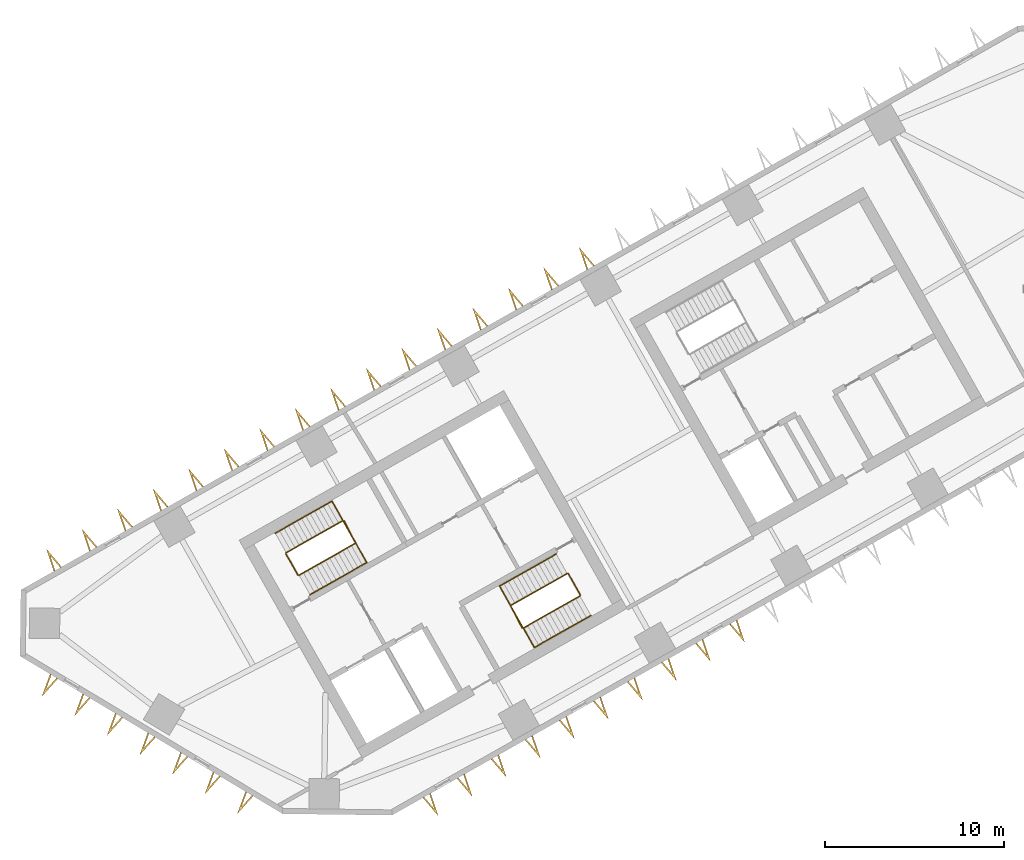
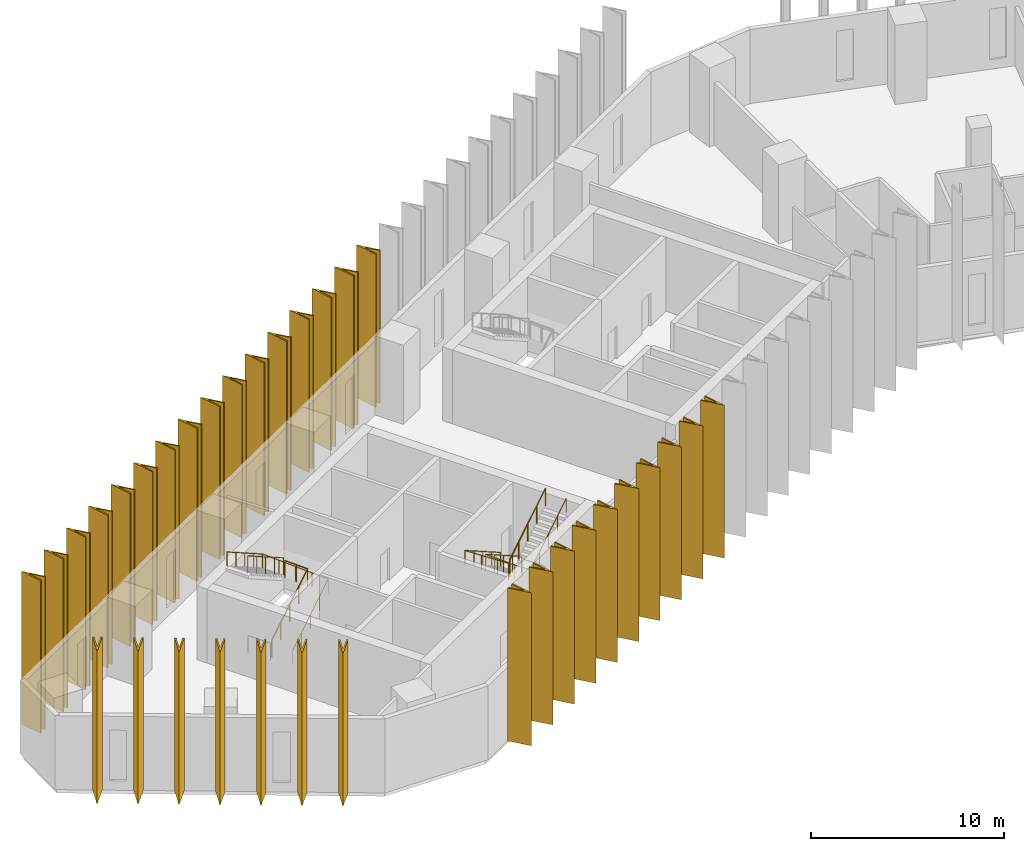
# One storey, part 9 of 11: 33 shading devices, 8 railings.
"""IFC4 building model written with IfcOpenShell, lengths in metres."""

from ifc_helpers import new_model, si_unit, direction, frame, origin, origin_2d, place, context, subcontext, project, spatial, polyline, circle, outline, extrude, material, type_object, element, save


model = new_model("IFC4")

# Units and contexts
model_context = context("Model", 3, precision=1e-05, world=origin(), true_north=direction((0.0, 1.0)))
body_context = subcontext(model_context, "Body", "Model", "MODEL_VIEW")
ifc_project = project(units=[si_unit("LENGTHUNIT", "METRE"), si_unit("AREAUNIT", "SQUARE_METRE"), si_unit("VOLUMEUNIT", "CUBIC_METRE"), si_unit("PLANEANGLEUNIT", "RADIAN"), si_unit("MASSUNIT", "GRAM", prefix="KILO")], contexts=[model_context])

# Site, building, storey
site_placement = place(None, origin())
site = spatial("IfcSite", under=ifc_project, at=site_placement, CompositionType="ELEMENT")
building_placement = place(site_placement, origin())
building = spatial("IfcBuilding", under=site, at=building_placement, Name="Binnacle Exchange Tower", CompositionType="ELEMENT")
storey_placement = place(building_placement, frame((0.0, 0.0, 56.5)))
storey = spatial("IfcBuildingStorey", under=building, at=storey_placement, Name="L11", CompositionType="ELEMENT", Elevation=56.5)

# Railings
ifc_material_1 = material(Name="Steel guard rail", Category="steel")
railing_type_1 = type_object("IfcRailingType", Name="STAIR GUARD 1100", PredefinedType="GUARDRAIL", material=ifc_material_1)
railing_1_placement = place(storey_placement, frame((-43.26171875, 39.71728515625, 0.178466796875)))
element("IfcRailing", 1, at=railing_1_placement, inside=storey, type_object=railing_type_1, Name="L11 STA1 stair guard 1", PredefinedType="GUARDRAIL", context=body_context, shape_type="SweptSolid", body=[
    extrude(circle(Radius=0.02392578125, at=origin_2d()), frame((0.0, 0.0, 1.076171875), z_axis=(0.733795554141, 0.415191658331, 0.537735968274), x_axis=(-0.492450612189, 0.870340390052, 0.0)), (0.0, 0.0, 1.0), 4.317138671875),
    extrude(circle(Radius=0.02392578125, at=origin_2d()), frame((3.16796875, 1.79248046875, 3.3974609375), z_axis=(-0.460963092712, 0.887419307406, 0.0), x_axis=(-0.887419307406, -0.460963092712, 0.0)), (0.0, 0.0, 1.0), 1.40087890625),
    extrude(circle(Radius=0.02099609375, at=origin_2d()), origin(), (0.0, 0.0, 1.0), 1.052001953125),
    extrude(circle(Radius=0.02099609375, at=origin_2d()), frame((0.7919921875, 0.4482421875, 0.580322265625)), (0.0, 0.0, 1.0), 1.052001953125),
    extrude(circle(Radius=0.02099609375, at=origin_2d()), frame((1.583984375, 0.896240234375, 1.16064453125)), (0.0, 0.0, 1.0), 1.052001953125),
    extrude(circle(Radius=0.02099609375, at=origin_2d()), frame((2.3759765625, 1.34423828125, 1.7412109375)), (0.0, 0.0, 1.0), 1.052001953125),
    extrude(circle(Radius=0.02099609375, at=origin_2d()), frame((3.16796875, 1.79248046875, 2.321533203125)), (0.0, 0.0, 1.0), 1.052001953125),
    extrude(circle(Radius=0.02099609375, at=origin_2d()), frame((2.84521484375, 2.4140625, 2.321533203125)), (0.0, 0.0, 1.0), 1.052001953125),
    extrude(circle(Radius=0.02099609375, at=origin_2d()), frame((2.522216796875, 3.03564453125, 2.321533203125)), (0.0, 0.0, 1.0), 1.052001953125),
])
railing_2_placement = place(storey_placement, frame((-40.8076171875, 42.771728515625, 2.678466796875)))
element("IfcRailing", 2, at=railing_2_placement, inside=storey, type_object=railing_type_1, Name="L11 STA1 stair guard 2", PredefinedType="GUARDRAIL", context=body_context, shape_type="SweptSolid", body=[
    extrude(circle(Radius=0.02392578125, at=origin_2d()), frame((0.0, 0.0, 1.076171875), z_axis=(-0.733821652932, -0.415174429824, 0.537713654753), x_axis=(0.492421866095, -0.870356654361, 0.0)), (0.0, 0.0, 1.0), 4.3173828125),
    extrude(circle(Radius=0.02099609375, at=origin_2d()), origin(), (0.0, 0.0, 1.0), 1.052001953125),
    extrude(circle(Radius=0.02099609375, at=origin_2d()), frame((-0.7919921875, -0.4482421875, 0.580322265625)), (0.0, 0.0, 1.0), 1.052001953125),
    extrude(circle(Radius=0.02099609375, at=origin_2d()), frame((-1.583984375, -0.896240234375, 1.16064453125)), (0.0, 0.0, 1.0), 1.052001953125),
    extrude(circle(Radius=0.02099609375, at=origin_2d()), frame((-2.376220703125, -1.34423828125, 1.7412109375)), (0.0, 0.0, 1.0), 1.052001953125),
    extrude(circle(Radius=0.02099609375, at=origin_2d()), frame((-3.168212890625, -1.79248046875, 2.321533203125)), (0.0, 0.0, 1.0), 1.052001953125),
])
railing_3_placement = place(storey_placement, frame((-43.329833984375, 39.736328125, 0.0)))
element("IfcRailing", 3, at=railing_3_placement, inside=storey, type_object=railing_type_1, Name="L11 STA1 stair guard 3", PredefinedType="GUARDRAIL", context=body_context, shape_type="SweptSolid", body=[
    extrude(circle(Radius=0.02392578125, at=origin_2d()), frame((0.0, 0.0, 1.076171875), z_axis=(-0.4924922531, 0.870316827734, 0.0), x_axis=(-0.870316827734, -0.4924922531, 0.0)), (0.0, 0.0, 1.0), 1.349853515625),
    extrude(circle(Radius=0.02099609375, at=origin_2d()), origin(), (0.0, 0.0, 1.0), 1.052001953125),
    extrude(circle(Radius=0.02099609375, at=origin_2d()), frame((-0.33251953125, 0.58740234375, 0.0)), (0.0, 0.0, 1.0), 1.052001953125),
    extrude(circle(Radius=0.02099609375, at=origin_2d()), frame((-0.664794921875, 1.1748046875, 0.0)), (0.0, 0.0, 1.0), 1.052001953125),
])
railing_4_placement = place(storey_placement, frame((-28.265380859375, 39.814453125, 0.178466796875)))
element("IfcRailing", 4, at=railing_4_placement, inside=storey, type_object=railing_type_1, Name="L11 STA2 stair guard 1", PredefinedType="GUARDRAIL", context=body_context, shape_type="SweptSolid", body=[
    extrude(circle(Radius=0.02392578125, at=origin_2d()), frame((0.0, 0.0, 1.076171875), z_axis=(-0.733821652932, -0.415174429824, 0.537713654753), x_axis=(0.492421866095, -0.870356654361, 0.0)), (0.0, 0.0, 1.0), 4.3173828125),
    extrude(circle(Radius=0.02392578125, at=origin_2d()), frame((-3.168212890625, -1.79248046875, 3.3974609375), z_axis=(0.461100321709, -0.887348011391, 0.0), x_axis=(0.887348011391, 0.461100321709, 0.0)), (0.0, 0.0, 1.0), 1.40087890625),
    extrude(circle(Radius=0.02099609375, at=origin_2d()), origin(), (0.0, 0.0, 1.0), 1.052001953125),
    extrude(circle(Radius=0.02099609375, at=origin_2d()), frame((-0.7919921875, -0.4482421875, 0.580322265625)), (0.0, 0.0, 1.0), 1.052001953125),
    extrude(circle(Radius=0.02099609375, at=origin_2d()), frame((-1.583984375, -0.896240234375, 1.16064453125)), (0.0, 0.0, 1.0), 1.052001953125),
    extrude(circle(Radius=0.02099609375, at=origin_2d()), frame((-2.376220703125, -1.34423828125, 1.7412109375)), (0.0, 0.0, 1.0), 1.052001953125),
    extrude(circle(Radius=0.02099609375, at=origin_2d()), frame((-3.168212890625, -1.79248046875, 2.321533203125)), (0.0, 0.0, 1.0), 1.052001953125),
    extrude(circle(Radius=0.02099609375, at=origin_2d()), frame((-2.84521484375, -2.4140625, 2.321533203125)), (0.0, 0.0, 1.0), 1.052001953125),
    extrude(circle(Radius=0.02099609375, at=origin_2d()), frame((-2.522216796875, -3.03564453125, 2.321533203125)), (0.0, 0.0, 1.0), 1.052001953125),
])
railing_5_placement = place(storey_placement, frame((-30.719482421875, 36.760009765625, 2.678466796875)))
element("IfcRailing", 5, at=railing_5_placement, inside=storey, type_object=railing_type_1, Name="L11 STA2 stair guard 2", PredefinedType="GUARDRAIL", context=body_context, shape_type="SweptSolid", body=[
    extrude(circle(Radius=0.02392578125, at=origin_2d()), frame((0.0, 0.0, 1.076171875), z_axis=(0.733795554141, 0.415191658331, 0.537735968274), x_axis=(-0.492450612189, 0.870340390052, 0.0)), (0.0, 0.0, 1.0), 4.317138671875),
    extrude(circle(Radius=0.02099609375, at=origin_2d()), origin(), (0.0, 0.0, 1.0), 1.052001953125),
    extrude(circle(Radius=0.02099609375, at=origin_2d()), frame((0.7919921875, 0.4482421875, 0.580322265625)), (0.0, 0.0, 1.0), 1.052001953125),
    extrude(circle(Radius=0.02099609375, at=origin_2d()), frame((1.583984375, 0.896240234375, 1.16064453125)), (0.0, 0.0, 1.0), 1.052001953125),
    extrude(circle(Radius=0.02099609375, at=origin_2d()), frame((2.3759765625, 1.34423828125, 1.7412109375)), (0.0, 0.0, 1.0), 1.052001953125),
    extrude(circle(Radius=0.02099609375, at=origin_2d()), frame((3.16796875, 1.79248046875, 2.321533203125)), (0.0, 0.0, 1.0), 1.052001953125),
])
railing_6_placement = place(storey_placement, frame((-28.197265625, 39.795654296875, 0.0)))
element("IfcRailing", 6, at=railing_6_placement, inside=storey, type_object=railing_type_1, Name="L11 STA2 stair guard 3", PredefinedType="GUARDRAIL", context=body_context, shape_type="SweptSolid", body=[
    extrude(circle(Radius=0.02392578125, at=origin_2d()), frame((0.0, 0.0, 1.076171875), z_axis=(0.49241474071, -0.870360685654, 0.0), x_axis=(0.870360685654, 0.49241474071, 0.0)), (0.0, 0.0, 1.0), 1.35009765625),
    extrude(circle(Radius=0.02099609375, at=origin_2d()), origin(), (0.0, 0.0, 1.0), 1.052001953125),
    extrude(circle(Radius=0.02099609375, at=origin_2d()), frame((0.33251953125, -0.58740234375, 0.0)), (0.0, 0.0, 1.0), 1.052001953125),
    extrude(circle(Radius=0.02099609375, at=origin_2d()), frame((0.664794921875, -1.175048828125, 0.0)), (0.0, 0.0, 1.0), 1.052001953125),
])
ifc_material_2 = material(Name="Steel handrail", Category="steel")
railing_type_2 = type_object("IfcRailingType", Name="STAIR HANDRAIL 900", PredefinedType="HANDRAIL", material=ifc_material_2)
railing_7_placement = place(storey_placement, frame((-42.646240234375, 38.62939453125, 0.178466796875)))
element("IfcRailing", 7, at=railing_7_placement, inside=storey, type_object=railing_type_2, Name="L11 STA1 stair handrail 1", PredefinedType="HANDRAIL", context=body_context, shape_type="SweptSolid", body=[
    extrude(circle(Radius=0.02392578125, at=origin_2d()), frame((0.0, 0.0, 0.8759765625), z_axis=(0.733821652932, 0.415174429824, 0.537713654753), x_axis=(-0.492421866095, 0.870356654361, 0.0)), (0.0, 0.0, 1.0), 4.3173828125),
    extrude(circle(Radius=0.02392578125, at=origin_2d()), frame((3.168212890625, 1.79248046875, 3.197265625), z_axis=(-0.491985021148, 0.869432866815, 0.045135674003), x_axis=(-0.870319839224, -0.492486931251, 0.0)), (0.0, 0.0, 1.0), 3.9541015625),
    extrude(circle(Radius=0.02392578125, at=origin_2d()), frame((1.222900390625, 5.230224609375, 3.3759765625), z_axis=(-0.733812782489, -0.415144854829, 0.537748593457), x_axis=(0.492399802317, -0.870369137021, 0.0)), (0.0, 0.0, 1.0), 4.317138671875),
    extrude(circle(Radius=0.02099609375, at=origin_2d()), origin(), (0.0, 0.0, 1.0), 0.851806640625),
    extrude(circle(Radius=0.02099609375, at=origin_2d()), frame((0.7919921875, 0.4482421875, 0.580322265625)), (0.0, 0.0, 1.0), 0.851806640625),
    extrude(circle(Radius=0.02099609375, at=origin_2d()), frame((1.583984375, 0.896240234375, 1.16064453125)), (0.0, 0.0, 1.0), 0.851806640625),
    extrude(circle(Radius=0.02099609375, at=origin_2d()), frame((2.376220703125, 1.34423828125, 1.7412109375)), (0.0, 0.0, 1.0), 0.851806640625),
    extrude(circle(Radius=0.02099609375, at=origin_2d()), frame((3.168212890625, 1.79248046875, 2.321533203125)), (0.0, 0.0, 1.0), 0.851806640625),
    extrude(circle(Radius=0.02099609375, at=origin_2d()), frame((2.681884765625, 2.65185546875, 2.3662109375)), (0.0, 0.0, 1.0), 0.851806640625),
    extrude(circle(Radius=0.02099609375, at=origin_2d()), frame((2.195556640625, 3.51123046875, 2.41064453125)), (0.0, 0.0, 1.0), 0.851806640625),
    extrude(circle(Radius=0.02099609375, at=origin_2d()), frame((1.709228515625, 4.370849609375, 2.455322265625)), (0.0, 0.0, 1.0), 0.851806640625),
    extrude(circle(Radius=0.02099609375, at=origin_2d()), frame((1.222900390625, 5.230224609375, 2.5)), (0.0, 0.0, 1.0), 0.851806640625),
    extrude(circle(Radius=0.02099609375, at=origin_2d()), frame((0.430908203125, 4.7822265625, 3.080322265625)), (0.0, 0.0, 1.0), 0.851806640625),
    extrude(circle(Radius=0.02099609375, at=origin_2d()), frame((-0.361083984375, 4.333984375, 3.66064453125)), (0.0, 0.0, 1.0), 0.851806640625),
    extrude(circle(Radius=0.02099609375, at=origin_2d()), frame((-1.153076171875, 3.885986328125, 4.2412109375)), (0.0, 0.0, 1.0), 0.851806640625),
    extrude(circle(Radius=0.02099609375, at=origin_2d()), frame((-1.945068359375, 3.43798828125, 4.821533203125)), (0.0, 0.0, 1.0), 0.851806640625),
])
railing_8_placement = place(storey_placement, frame((-28.880859375, 40.90234375, 0.178466796875)))
element("IfcRailing", 8, at=railing_8_placement, inside=storey, type_object=railing_type_2, Name="L11 STA2 stair handrail 1", PredefinedType="HANDRAIL", context=body_context, shape_type="SweptSolid", body=[
    extrude(circle(Radius=0.02392578125, at=origin_2d()), frame((0.0, 0.0, 0.8759765625), z_axis=(-0.733838880464, -0.415127627455, 0.537726278364), x_axis=(0.492371057291, -0.870385398511, 0.0)), (0.0, 0.0, 1.0), 4.3173828125),
    extrude(circle(Radius=0.02392578125, at=origin_2d()), frame((-3.168212890625, -1.792236328125, 3.197265625), z_axis=(0.491911810019, -0.86947434526, 0.045134621956), x_axis=(0.870361318571, 0.492413622004, 0.0)), (0.0, 0.0, 1.0), 3.9541015625),
    extrude(circle(Radius=0.02392578125, at=origin_2d()), frame((-1.22314453125, -5.230224609375, 3.3759765625), z_axis=(0.733821652932, 0.415174429824, 0.537713654753), x_axis=(-0.492421866095, 0.870356654361, 0.0)), (0.0, 0.0, 1.0), 4.3173828125),
    extrude(circle(Radius=0.02099609375, at=origin_2d()), origin(), (0.0, 0.0, 1.0), 0.851806640625),
    extrude(circle(Radius=0.02099609375, at=origin_2d()), frame((-0.7919921875, -0.447998046875, 0.580322265625)), (0.0, 0.0, 1.0), 0.851806640625),
    extrude(circle(Radius=0.02099609375, at=origin_2d()), frame((-1.583984375, -0.89599609375, 1.16064453125)), (0.0, 0.0, 1.0), 0.851806640625),
    extrude(circle(Radius=0.02099609375, at=origin_2d()), frame((-2.376220703125, -1.34423828125, 1.7412109375)), (0.0, 0.0, 1.0), 0.851806640625),
    extrude(circle(Radius=0.02099609375, at=origin_2d()), frame((-3.168212890625, -1.792236328125, 2.321533203125)), (0.0, 0.0, 1.0), 0.851806640625),
    extrude(circle(Radius=0.02099609375, at=origin_2d()), frame((-2.681884765625, -2.65185546875, 2.3662109375)), (0.0, 0.0, 1.0), 0.851806640625),
    extrude(circle(Radius=0.02099609375, at=origin_2d()), frame((-2.19580078125, -3.51123046875, 2.41064453125)), (0.0, 0.0, 1.0), 0.851806640625),
    extrude(circle(Radius=0.02099609375, at=origin_2d()), frame((-1.70947265625, -4.37060546875, 2.455322265625)), (0.0, 0.0, 1.0), 0.851806640625),
    extrude(circle(Radius=0.02099609375, at=origin_2d()), frame((-1.22314453125, -5.230224609375, 2.5)), (0.0, 0.0, 1.0), 0.851806640625),
    extrude(circle(Radius=0.02099609375, at=origin_2d()), frame((-0.43115234375, -4.7822265625, 3.080322265625)), (0.0, 0.0, 1.0), 0.851806640625),
    extrude(circle(Radius=0.02099609375, at=origin_2d()), frame((0.36083984375, -4.333984375, 3.66064453125)), (0.0, 0.0, 1.0), 0.851806640625),
    extrude(circle(Radius=0.02099609375, at=origin_2d()), frame((1.153076171875, -3.8857421875, 4.2412109375)), (0.0, 0.0, 1.0), 0.851806640625),
    extrude(circle(Radius=0.02099609375, at=origin_2d()), frame((1.945068359375, -3.437744140625, 4.821533203125)), (0.0, 0.0, 1.0), 0.851806640625),
])

# Shading devices
ifc_material_3 = material(Name="Bronze aluminium cladding", Category="aluminium")
shading_device_type = type_object("IfcShadingDeviceType", Name="V FIN 1300 DEEP x 9680 HIGH", PredefinedType="USERDEFINED", material=ifc_material_3)
shading_device_1_placement = place(storey_placement, origin())
element("IfcShadingDevice", 9, at=shading_device_1_placement, inside=storey, type_object=shading_device_type, Name="V fin FN-F03-12 L11", ObjectType="FIN", PredefinedType="USERDEFINED", context=body_context, shape_type="SweptSolid", body=[
    extrude(outline(polyline([(-26.7412109375, 57.04296875), (-27.59912109375, 58.05126953125), (-27.176513671875, 56.796630859375), (-27.10546875, 56.8369140625), (-27.390380859375, 57.6826171875), (-26.81201171875, 57.002685546875), (-26.7412109375, 57.04296875)])), origin(), (0.0, 0.0, 1.0), 9.679931640625),
])
shading_device_2_placement = place(storey_placement, origin())
element("IfcShadingDevice", 10, at=shading_device_2_placement, inside=storey, type_object=shading_device_type, Name="V fin FN-F03-13 L11", ObjectType="FIN", PredefinedType="USERDEFINED", context=body_context, shape_type="SweptSolid", body=[
    extrude(outline(polyline([(-28.727783203125, 55.9189453125), (-29.58544921875, 56.92724609375), (-29.162841796875, 55.672607421875), (-29.092041015625, 55.712890625), (-29.376708984375, 56.55859375), (-28.798583984375, 55.87890625), (-28.727783203125, 55.9189453125)])), origin(), (0.0, 0.0, 1.0), 9.679931640625),
])
shading_device_3_placement = place(storey_placement, origin())
element("IfcShadingDevice", 11, at=shading_device_3_placement, inside=storey, type_object=shading_device_type, Name="V fin FN-F03-14 L11", ObjectType="FIN", PredefinedType="USERDEFINED", context=body_context, shape_type="SweptSolid", body=[
    extrude(outline(polyline([(-30.71435546875, 54.794921875), (-31.572021484375, 55.803466796875), (-31.1494140625, 54.548828125), (-31.07861328125, 54.5888671875), (-31.36328125, 55.434814453125), (-30.78515625, 54.7548828125), (-30.71435546875, 54.794921875)])), origin(), (0.0, 0.0, 1.0), 9.679931640625),
])
shading_device_4_placement = place(storey_placement, origin())
element("IfcShadingDevice", 12, at=shading_device_4_placement, inside=storey, type_object=shading_device_type, Name="V fin FN-F03-15 L11", ObjectType="FIN", PredefinedType="USERDEFINED", context=body_context, shape_type="SweptSolid", body=[
    extrude(outline(polyline([(-32.70068359375, 53.6708984375), (-33.55859375, 54.679443359375), (-33.135986328125, 53.4248046875), (-33.065185546875, 53.46484375), (-33.349853515625, 54.310791015625), (-32.771728515625, 53.630859375), (-32.70068359375, 53.6708984375)])), origin(), (0.0, 0.0, 1.0), 9.679931640625),
])
shading_device_5_placement = place(storey_placement, origin())
element("IfcShadingDevice", 13, at=shading_device_5_placement, inside=storey, type_object=shading_device_type, Name="V fin FN-F03-16 L11", ObjectType="FIN", PredefinedType="USERDEFINED", context=body_context, shape_type="SweptSolid", body=[
    extrude(outline(polyline([(-34.687255859375, 52.547119140625), (-35.545166015625, 53.555419921875), (-35.12255859375, 52.30078125), (-35.051513671875, 52.341064453125), (-35.33642578125, 53.186767578125), (-34.75830078125, 52.507080078125), (-34.687255859375, 52.547119140625)])), origin(), (0.0, 0.0, 1.0), 9.679931640625),
])
shading_device_6_placement = place(storey_placement, origin())
element("IfcShadingDevice", 14, at=shading_device_6_placement, inside=storey, type_object=shading_device_type, Name="V fin FN-F03-17 L11", ObjectType="FIN", PredefinedType="USERDEFINED", context=body_context, shape_type="SweptSolid", body=[
    extrude(outline(polyline([(-36.673828125, 51.423095703125), (-37.53173828125, 52.431640625), (-37.109130859375, 51.177001953125), (-37.0380859375, 51.217041015625), (-37.322998046875, 52.06298828125), (-36.744873046875, 51.383056640625), (-36.673828125, 51.423095703125)])), origin(), (0.0, 0.0, 1.0), 9.679931640625),
])
shading_device_7_placement = place(storey_placement, origin())
element("IfcShadingDevice", 15, at=shading_device_7_placement, inside=storey, type_object=shading_device_type, Name="V fin FN-F03-18 L11", ObjectType="FIN", PredefinedType="USERDEFINED", context=body_context, shape_type="SweptSolid", body=[
    extrude(outline(polyline([(-38.660400390625, 50.29931640625), (-39.518310546875, 51.3076171875), (-39.095703125, 50.052978515625), (-39.02490234375, 50.093017578125), (-39.3095703125, 50.93896484375), (-38.7314453125, 50.259033203125), (-38.660400390625, 50.29931640625)])), origin(), (0.0, 0.0, 1.0), 9.679931640625),
])
shading_device_8_placement = place(storey_placement, origin())
element("IfcShadingDevice", 16, at=shading_device_8_placement, inside=storey, type_object=shading_device_type, Name="V fin FN-F03-19 L11", ObjectType="FIN", PredefinedType="USERDEFINED", context=body_context, shape_type="SweptSolid", body=[
    extrude(outline(polyline([(-40.64697265625, 49.17529296875), (-41.5048828125, 50.18359375), (-41.082275390625, 48.92919921875), (-41.01123046875, 48.96923828125), (-41.296142578125, 49.81494140625), (-40.718017578125, 49.13525390625), (-40.64697265625, 49.17529296875)])), origin(), (0.0, 0.0, 1.0), 9.679931640625),
])
shading_device_9_placement = place(storey_placement, origin())
element("IfcShadingDevice", 17, at=shading_device_9_placement, inside=storey, type_object=shading_device_type, Name="V fin FN-F03-20 L11", ObjectType="FIN", PredefinedType="USERDEFINED", context=body_context, shape_type="SweptSolid", body=[
    extrude(outline(polyline([(-42.633544921875, 48.05126953125), (-43.491455078125, 49.059814453125), (-43.06884765625, 47.80517578125), (-42.997802734375, 47.84521484375), (-43.28271484375, 48.69091796875), (-42.70458984375, 48.01123046875), (-42.633544921875, 48.05126953125)])), origin(), (0.0, 0.0, 1.0), 9.679931640625),
])
shading_device_10_placement = place(storey_placement, origin())
element("IfcShadingDevice", 18, at=shading_device_10_placement, inside=storey, type_object=shading_device_type, Name="V fin FN-F03-21 L11", ObjectType="FIN", PredefinedType="USERDEFINED", context=body_context, shape_type="SweptSolid", body=[
    extrude(outline(polyline([(-44.6201171875, 46.927490234375), (-45.47802734375, 47.935791015625), (-45.055419921875, 46.68115234375), (-44.984619140625, 46.72119140625), (-45.269287109375, 47.567138671875), (-44.691162109375, 46.88720703125), (-44.6201171875, 46.927490234375)])), origin(), (0.0, 0.0, 1.0), 9.679931640625),
])
shading_device_11_placement = place(storey_placement, origin())
element("IfcShadingDevice", 19, at=shading_device_11_placement, inside=storey, type_object=shading_device_type, Name="V fin FN-F03-22 L11", ObjectType="FIN", PredefinedType="USERDEFINED", context=body_context, shape_type="SweptSolid", body=[
    extrude(outline(polyline([(-46.606689453125, 45.803466796875), (-47.464599609375, 46.81201171875), (-47.0419921875, 45.557373046875), (-46.970947265625, 45.597412109375), (-47.255859375, 46.443115234375), (-46.677490234375, 45.763427734375), (-46.606689453125, 45.803466796875)])), origin(), (0.0, 0.0, 1.0), 9.679931640625),
])
shading_device_12_placement = place(storey_placement, origin())
element("IfcShadingDevice", 20, at=shading_device_12_placement, inside=storey, type_object=shading_device_type, Name="V fin FN-F03-23 L11", ObjectType="FIN", PredefinedType="USERDEFINED", context=body_context, shape_type="SweptSolid", body=[
    extrude(outline(polyline([(-48.59326171875, 44.679443359375), (-49.451171875, 45.68798828125), (-49.028564453125, 44.433349609375), (-48.95751953125, 44.473388671875), (-49.242431640625, 45.319091796875), (-48.664306640625, 44.639404296875), (-48.59326171875, 44.679443359375)])), origin(), (0.0, 0.0, 1.0), 9.679931640625),
])
shading_device_13_placement = place(storey_placement, origin())
element("IfcShadingDevice", 21, at=shading_device_13_placement, inside=storey, type_object=shading_device_type, Name="V fin FN-F03-24 L11", ObjectType="FIN", PredefinedType="USERDEFINED", context=body_context, shape_type="SweptSolid", body=[
    extrude(outline(polyline([(-50.579833984375, 43.5556640625), (-51.4375, 44.56396484375), (-51.014892578125, 43.309326171875), (-50.944091796875, 43.349609375), (-51.22900390625, 44.1953125), (-50.650634765625, 43.515380859375), (-50.579833984375, 43.5556640625)])), origin(), (0.0, 0.0, 1.0), 9.679931640625),
])
shading_device_14_placement = place(storey_placement, origin())
element("IfcShadingDevice", 22, at=shading_device_14_placement, inside=storey, type_object=shading_device_type, Name="V fin FN-F03-25 L11", ObjectType="FIN", PredefinedType="USERDEFINED", context=body_context, shape_type="SweptSolid", body=[
    extrude(outline(polyline([(-52.56640625, 42.431640625), (-53.42431640625, 43.440185546875), (-53.001708984375, 42.185546875), (-52.9306640625, 42.2255859375), (-53.215576171875, 43.0712890625), (-52.63720703125, 42.3916015625), (-52.56640625, 42.431640625)])), origin(), (0.0, 0.0, 1.0), 9.679931640625),
])
shading_device_15_placement = place(storey_placement, origin())
element("IfcShadingDevice", 23, at=shading_device_15_placement, inside=storey, type_object=shading_device_type, Name="V fin FN-F03-26 L11", ObjectType="FIN", PredefinedType="USERDEFINED", context=body_context, shape_type="SweptSolid", body=[
    extrude(outline(polyline([(-54.552978515625, 41.3076171875), (-55.410888671875, 42.316162109375), (-54.98828125, 41.0615234375), (-54.917236328125, 41.1015625), (-55.2021484375, 41.947509765625), (-54.623779296875, 41.267578125), (-54.552978515625, 41.3076171875)])), origin(), (0.0, 0.0, 1.0), 9.679931640625),
])
shading_device_16_placement = place(storey_placement, origin())
element("IfcShadingDevice", 24, at=shading_device_16_placement, inside=storey, type_object=shading_device_type, Name="V fin FN-F03-27 L11", ObjectType="FIN", PredefinedType="USERDEFINED", context=body_context, shape_type="SweptSolid", body=[
    extrude(outline(polyline([(-56.53955078125, 40.183837890625), (-57.397216796875, 41.192138671875), (-56.974609375, 39.9375), (-56.90380859375, 39.977783203125), (-57.188720703125, 40.823486328125), (-56.6103515625, 40.143798828125), (-56.53955078125, 40.183837890625)])), origin(), (0.0, 0.0, 1.0), 9.679931640625),
])
shading_device_17_placement = place(storey_placement, origin())
element("IfcShadingDevice", 25, at=shading_device_17_placement, inside=storey, type_object=shading_device_type, Name="V fin FN-F05-01 L11", ObjectType="FIN", PredefinedType="USERDEFINED", context=body_context, shape_type="SweptSolid", body=[
    extrude(outline(polyline([(-57.18603515625, 34.185791015625), (-57.641357421875, 32.94287109375), (-56.757568359375, 33.92822265625), (-56.827392578125, 33.97021484375), (-57.423095703125, 33.305908203125), (-57.1162109375, 34.143798828125), (-57.18603515625, 34.185791015625)])), origin(), (0.0, 0.0, 1.0), 9.679931640625),
])
shading_device_18_placement = place(storey_placement, origin())
element("IfcShadingDevice", 26, at=shading_device_18_placement, inside=storey, type_object=shading_device_type, Name="V fin FN-F05-02 L11", ObjectType="FIN", PredefinedType="USERDEFINED", context=body_context, shape_type="SweptSolid", body=[
    extrude(outline(polyline([(-55.364501953125, 33.09130859375), (-55.81982421875, 31.848388671875), (-54.93603515625, 32.833740234375), (-55.005859375, 32.875732421875), (-55.601806640625, 32.21142578125), (-55.294921875, 33.04931640625), (-55.364501953125, 33.09130859375)])), origin(), (0.0, 0.0, 1.0), 9.679931640625),
])
shading_device_19_placement = place(storey_placement, origin())
element("IfcShadingDevice", 27, at=shading_device_19_placement, inside=storey, type_object=shading_device_type, Name="V fin FN-F05-03 L11", ObjectType="FIN", PredefinedType="USERDEFINED", context=body_context, shape_type="SweptSolid", body=[
    extrude(outline(polyline([(-53.543212890625, 31.9970703125), (-53.998291015625, 30.75390625), (-53.114501953125, 31.739501953125), (-53.184326171875, 31.781494140625), (-53.7802734375, 31.116943359375), (-53.473388671875, 31.955078125), (-53.543212890625, 31.9970703125)])), origin(), (0.0, 0.0, 1.0), 9.679931640625),
])
shading_device_20_placement = place(storey_placement, origin())
element("IfcShadingDevice", 28, at=shading_device_20_placement, inside=storey, type_object=shading_device_type, Name="V fin FN-F05-04 L11", ObjectType="FIN", PredefinedType="USERDEFINED", context=body_context, shape_type="SweptSolid", body=[
    extrude(outline(polyline([(-51.7216796875, 30.902587890625), (-52.1767578125, 29.659423828125), (-51.29296875, 30.64501953125), (-51.36279296875, 30.68701171875), (-51.958740234375, 30.0224609375), (-51.65185546875, 30.860595703125), (-51.7216796875, 30.902587890625)])), origin(), (0.0, 0.0, 1.0), 9.679931640625),
])
shading_device_21_placement = place(storey_placement, origin())
element("IfcShadingDevice", 29, at=shading_device_21_placement, inside=storey, type_object=shading_device_type, Name="V fin FN-F05-05 L11", ObjectType="FIN", PredefinedType="USERDEFINED", context=body_context, shape_type="SweptSolid", body=[
    extrude(outline(polyline([(-49.900146484375, 29.80810546875), (-50.35546875, 28.56494140625), (-49.4716796875, 29.55029296875), (-49.54150390625, 29.59228515625), (-50.13720703125, 28.927978515625), (-49.830322265625, 29.76611328125), (-49.900146484375, 29.80810546875)])), origin(), (0.0, 0.0, 1.0), 9.679931640625),
])
shading_device_22_placement = place(storey_placement, origin())
element("IfcShadingDevice", 30, at=shading_device_22_placement, inside=storey, type_object=shading_device_type, Name="V fin FN-F05-06 L11", ObjectType="FIN", PredefinedType="USERDEFINED", context=body_context, shape_type="SweptSolid", body=[
    extrude(outline(polyline([(-48.07861328125, 28.713623046875), (-48.533935546875, 27.470458984375), (-47.650146484375, 28.4560546875), (-47.719970703125, 28.498046875), (-48.31591796875, 27.83349609375), (-48.0087890625, 28.671630859375), (-48.07861328125, 28.713623046875)])), origin(), (0.0, 0.0, 1.0), 9.679931640625),
])
shading_device_23_placement = place(storey_placement, origin())
element("IfcShadingDevice", 31, at=shading_device_23_placement, inside=storey, type_object=shading_device_type, Name="V fin FN-F05-07 L11", ObjectType="FIN", PredefinedType="USERDEFINED", context=body_context, shape_type="SweptSolid", body=[
    extrude(outline(polyline([(-46.257080078125, 27.619140625), (-46.71240234375, 26.3759765625), (-45.82861328125, 27.361572265625), (-45.8984375, 27.403564453125), (-46.494384765625, 26.739013671875), (-46.1875, 27.5771484375), (-46.257080078125, 27.619140625)])), origin(), (0.0, 0.0, 1.0), 9.679931640625),
])
shading_device_24_placement = place(storey_placement, origin())
element("IfcShadingDevice", 32, at=shading_device_24_placement, inside=storey, type_object=shading_device_type, Name="V fin FN-F07-01 L11", ObjectType="FIN", PredefinedType="USERDEFINED", context=body_context, shape_type="SweptSolid", body=[
    extrude(outline(polyline([(-36.336669921875, 27.269287109375), (-35.47900390625, 26.260986328125), (-35.901611328125, 27.515625), (-35.972412109375, 27.4755859375), (-35.6875, 26.629638671875), (-36.265869140625, 27.3095703125), (-36.336669921875, 27.269287109375)])), origin(), (0.0, 0.0, 1.0), 9.679931640625),
])
shading_device_25_placement = place(storey_placement, origin())
element("IfcShadingDevice", 33, at=shading_device_25_placement, inside=storey, type_object=shading_device_type, Name="V fin FN-F07-02 L11", ObjectType="FIN", PredefinedType="USERDEFINED", context=body_context, shape_type="SweptSolid", body=[
    extrude(outline(polyline([(-34.431640625, 28.34716796875), (-33.573974609375, 27.338623046875), (-33.99658203125, 28.59326171875), (-34.0673828125, 28.55322265625), (-33.78271484375, 27.70751953125), (-34.36083984375, 28.38720703125), (-34.431640625, 28.34716796875)])), origin(), (0.0, 0.0, 1.0), 9.679931640625),
])
shading_device_26_placement = place(storey_placement, origin())
element("IfcShadingDevice", 34, at=shading_device_26_placement, inside=storey, type_object=shading_device_type, Name="V fin FN-F07-03 L11", ObjectType="FIN", PredefinedType="USERDEFINED", context=body_context, shape_type="SweptSolid", body=[
    extrude(outline(polyline([(-32.52685546875, 29.4248046875), (-31.669189453125, 28.41650390625), (-32.091796875, 29.671142578125), (-32.16259765625, 29.631103515625), (-31.877685546875, 28.78515625), (-32.4560546875, 29.465087890625), (-32.52685546875, 29.4248046875)])), origin(), (0.0, 0.0, 1.0), 9.679931640625),
])
shading_device_27_placement = place(storey_placement, origin())
element("IfcShadingDevice", 35, at=shading_device_27_placement, inside=storey, type_object=shading_device_type, Name="V fin FN-F07-04 L11", ObjectType="FIN", PredefinedType="USERDEFINED", context=body_context, shape_type="SweptSolid", body=[
    extrude(outline(polyline([(-30.6220703125, 30.502685546875), (-29.76416015625, 29.494140625), (-30.186767578125, 30.748779296875), (-30.2578125, 30.708740234375), (-29.972900390625, 29.86279296875), (-30.551025390625, 30.542724609375), (-30.6220703125, 30.502685546875)])), origin(), (0.0, 0.0, 1.0), 9.679931640625),
])
shading_device_28_placement = place(storey_placement, origin())
element("IfcShadingDevice", 36, at=shading_device_28_placement, inside=storey, type_object=shading_device_type, Name="V fin FN-F07-05 L11", ObjectType="FIN", PredefinedType="USERDEFINED", context=body_context, shape_type="SweptSolid", body=[
    extrude(outline(polyline([(-28.717041015625, 31.580322265625), (-27.859375, 30.572021484375), (-28.281982421875, 31.826416015625), (-28.352783203125, 31.786376953125), (-28.068115234375, 30.940673828125), (-28.646240234375, 31.620361328125), (-28.717041015625, 31.580322265625)])), origin(), (0.0, 0.0, 1.0), 9.679931640625),
])
shading_device_29_placement = place(storey_placement, origin())
element("IfcShadingDevice", 37, at=shading_device_29_placement, inside=storey, type_object=shading_device_type, Name="V fin FN-F07-06 L11", ObjectType="FIN", PredefinedType="USERDEFINED", context=body_context, shape_type="SweptSolid", body=[
    extrude(outline(polyline([(-26.812255859375, 32.658203125), (-25.954345703125, 31.649658203125), (-26.376953125, 32.904296875), (-26.447998046875, 32.8642578125), (-26.1630859375, 32.018310546875), (-26.7412109375, 32.6982421875), (-26.812255859375, 32.658203125)])), origin(), (0.0, 0.0, 1.0), 9.679931640625),
])
shading_device_30_placement = place(storey_placement, origin())
element("IfcShadingDevice", 38, at=shading_device_30_placement, inside=storey, type_object=shading_device_type, Name="V fin FN-F07-07 L11", ObjectType="FIN", PredefinedType="USERDEFINED", context=body_context, shape_type="SweptSolid", body=[
    extrude(outline(polyline([(-24.9072265625, 33.73583984375), (-24.049560546875, 32.727294921875), (-24.47216796875, 33.98193359375), (-24.54296875, 33.94189453125), (-24.25830078125, 33.09619140625), (-24.83642578125, 33.77587890625), (-24.9072265625, 33.73583984375)])), origin(), (0.0, 0.0, 1.0), 9.679931640625),
])
shading_device_31_placement = place(storey_placement, origin())
element("IfcShadingDevice", 39, at=shading_device_31_placement, inside=storey, type_object=shading_device_type, Name="V fin FN-F07-08 L11", ObjectType="FIN", PredefinedType="USERDEFINED", context=body_context, shape_type="SweptSolid", body=[
    extrude(outline(polyline([(-23.00244140625, 34.8134765625), (-22.14453125, 33.80517578125), (-22.567138671875, 35.059814453125), (-22.63818359375, 35.01953125), (-22.353271484375, 34.173828125), (-22.931396484375, 34.853515625), (-23.00244140625, 34.8134765625)])), origin(), (0.0, 0.0, 1.0), 9.679931640625),
])
shading_device_32_placement = place(storey_placement, origin())
element("IfcShadingDevice", 40, at=shading_device_32_placement, inside=storey, type_object=shading_device_type, Name="V fin FN-F07-09 L11", ObjectType="FIN", PredefinedType="USERDEFINED", context=body_context, shape_type="SweptSolid", body=[
    extrude(outline(polyline([(-21.097412109375, 35.891357421875), (-20.23974609375, 34.8828125), (-20.662353515625, 36.137451171875), (-20.733154296875, 36.097412109375), (-20.448486328125, 35.251708984375), (-21.026611328125, 35.931396484375), (-21.097412109375, 35.891357421875)])), origin(), (0.0, 0.0, 1.0), 9.679931640625),
])
shading_device_33_placement = place(storey_placement, origin())
element("IfcShadingDevice", 41, at=shading_device_33_placement, inside=storey, type_object=shading_device_type, Name="V fin FN-F07-10 L11", ObjectType="FIN", PredefinedType="USERDEFINED", context=body_context, shape_type="SweptSolid", body=[
    extrude(outline(polyline([(-19.192626953125, 36.968994140625), (-18.334716796875, 35.960693359375), (-18.75732421875, 37.215087890625), (-18.828369140625, 37.175048828125), (-18.54345703125, 36.329345703125), (-19.12158203125, 37.009033203125), (-19.192626953125, 36.968994140625)])), origin(), (0.0, 0.0, 1.0), 9.679931640625),
])

save(model, "model.ifc")
